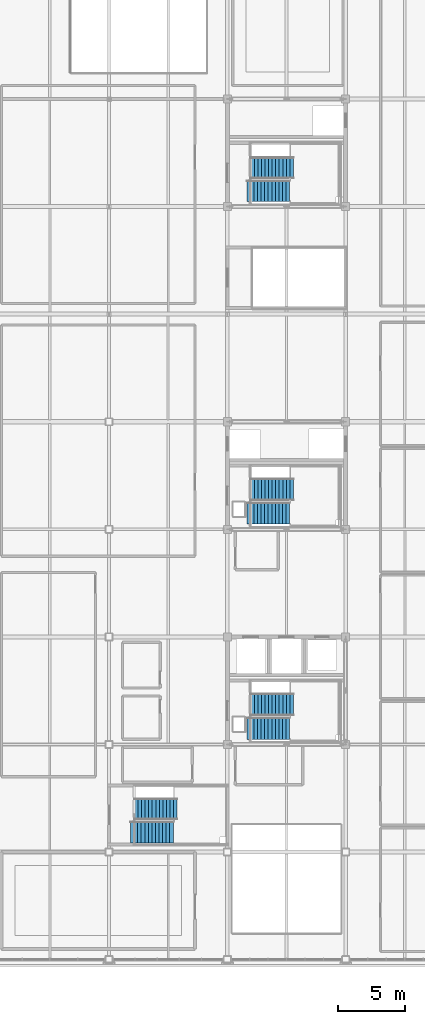
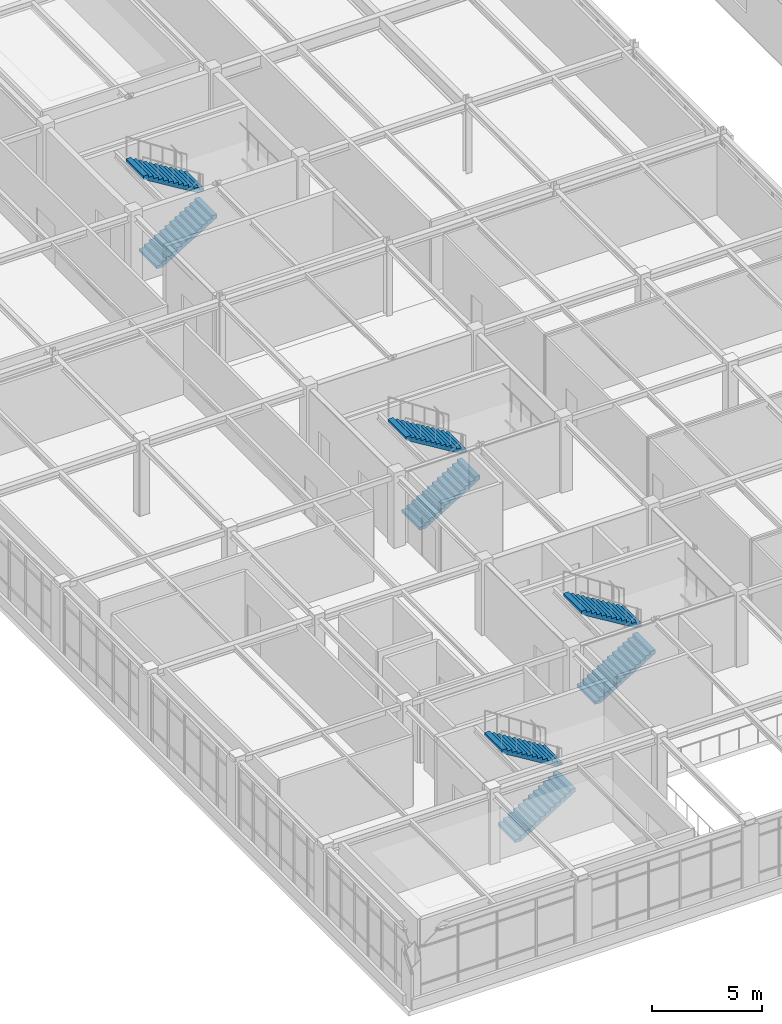
# One storey, part 83 of 88: 8 stair flights, 4 elements without a shape of their own.
"""IFC4 building model written with IfcOpenShell, lengths in metres."""

from ifc_helpers import new_model, si_unit, direction, frame, origin, place, context, subcontext, project, spatial, polyline, outline, extrude, material, type_object, element, aggregate, save


model = new_model("IFC4")

# Units and contexts
model_context = context("Model", 3, precision=1e-05, world=origin(), true_north=direction((0.0, 1.0)))
body_context = subcontext(model_context, "Body", "Model", "MODEL_VIEW")
ifc_project = project(units=[si_unit("LENGTHUNIT", "METRE"), si_unit("AREAUNIT", "SQUARE_METRE"), si_unit("VOLUMEUNIT", "CUBIC_METRE"), si_unit("PLANEANGLEUNIT", "RADIAN"), si_unit("MASSUNIT", "GRAM", prefix="KILO")], contexts=[model_context])

# Site, building, storey
site_placement = place(None, origin())
site = spatial("IfcSite", under=ifc_project, at=site_placement, CompositionType="ELEMENT")
building_placement = place(site_placement, origin())
building = spatial("IfcBuilding", under=site, at=building_placement, Name="Zhaolan Boulevard Law Courts", CompositionType="ELEMENT")
storey_placement = place(building_placement, frame((0.0, 0.0, 16.199951171875)))
storey = spatial("IfcBuildingStorey", under=building, at=storey_placement, Name="L03", CompositionType="ELEMENT", Elevation=16.199951171875)

# Stair, stair flights
ifc_material_1 = material(Name="Concrete C40", Category="concrete")
stair_type_1 = type_object("IfcStairType", Name="HALF TURN STAIR 42 A", PredefinedType="HALF_TURN_STAIR", material=ifc_material_1)
stair_1_placement = place(storey_placement, origin())
stair_1 = element("IfcStair", 1, at=stair_1_placement, inside=storey, type_object=stair_type_1, Name="Stair ST01-L03", PredefinedType="HALF_TURN_STAIR")
ifc_material_2 = material(Name="Concrete C40", Category="concrete")
stair_flight_type_1 = type_object("IfcStairFlightType", Name="STAIR FLIGHT 42 A", PredefinedType="STRAIGHT", material=ifc_material_2)
stair_flight_1_placement = place(storey_placement, frame((19.050048828125, 47.205078125, 0.0), z_axis=(0.0, 0.0, 1.0), x_axis=(1.0, 0.0, 0.0)))
stair_flight_1 = element("IfcStairFlight", 2, at=stair_flight_1_placement, type_object=stair_flight_type_1, Name="Stair Flight ST01-L03-F1", NumberOfRisers=13, NumberOfTreads=12, PredefinedType="STRAIGHT", RiserHeight=0.161538462, TreadLength=0.265, context=body_context, shape_type="SweptSolid", body=[
    extrude(outline(polyline([(0.0, 0.0), (0.0, 0.16162109375), (0.264892578125, 0.16162109375), (0.264892578125, 0.322998046875), (0.530029296875, 0.322998046875), (0.530029296875, 0.484619140625), (0.794921875, 0.484619140625), (0.794921875, 0.646240234375), (1.06005859375, 0.646240234375), (1.06005859375, 0.8076171875), (1.324951171875, 0.8076171875), (1.324951171875, 0.96923828125), (1.590087890625, 0.96923828125), (1.590087890625, 1.130859375), (1.85498046875, 1.130859375), (1.85498046875, 1.292236328125), (2.1201171875, 1.292236328125), (2.1201171875, 1.453857421875), (2.385009765625, 1.453857421875), (2.385009765625, 1.615478515625), (2.64990234375, 1.615478515625), (2.64990234375, 1.77685546875), (2.9150390625, 1.77685546875), (2.9150390625, 1.9384765625), (3.179931640625, 1.9384765625), (3.179931640625, 2.10009765625), (3.179931640625, 1.751220703125), (0.30712890625, 0.0), (0.0, 0.0)])), frame((0.0, 0.824951171875, 0.0), z_axis=(0.0, -1.0, 0.0), x_axis=(1.0, 0.0, 0.0)), (0.0, 0.0, 1.0), 1.64990234375),
])
stair_flight_2_placement = place(storey_placement, frame((22.514892578125, 48.955078125, 2.10009765625), z_axis=(0.0, 0.0, 1.0), x_axis=(-1.0, 0.0, 0.0)))
stair_flight_2 = element("IfcStairFlight", 3, at=stair_flight_2_placement, type_object=stair_flight_type_1, Name="Stair Flight ST01-L03-F2", NumberOfRisers=13, NumberOfTreads=12, PredefinedType="STRAIGHT", RiserHeight=0.161538462, TreadLength=0.265, context=body_context, shape_type="SweptSolid", body=[
    extrude(outline(polyline([(0.0, 0.0), (0.0, 0.16162109375), (0.264892578125, 0.16162109375), (0.264892578125, 0.322998046875), (0.530029296875, 0.322998046875), (0.530029296875, 0.484619140625), (0.794921875, 0.484619140625), (0.794921875, 0.646240234375), (1.06005859375, 0.646240234375), (1.06005859375, 0.8076171875), (1.324951171875, 0.8076171875), (1.324951171875, 0.96923828125), (1.590087890625, 0.96923828125), (1.590087890625, 1.130859375), (1.85498046875, 1.130859375), (1.85498046875, 1.292236328125), (2.1201171875, 1.292236328125), (2.1201171875, 1.453857421875), (2.385009765625, 1.453857421875), (2.385009765625, 1.615478515625), (2.64990234375, 1.615478515625), (2.64990234375, 1.77685546875), (2.9150390625, 1.77685546875), (2.9150390625, 1.9384765625), (3.179931640625, 1.9384765625), (3.179931640625, 2.10009765625), (3.179931640625, 1.751220703125), (0.30712890625, 0.0), (0.0, 0.0)])), frame((0.0, 0.824951171875, 0.0), z_axis=(0.0, -1.0, 0.0), x_axis=(1.0, 0.0, 0.0)), (0.0, 0.0, 1.0), 1.64990234375),
])
aggregate(stair_1, [stair_flight_1, stair_flight_2])

stair_2_placement = place(storey_placement, origin())
stair_2 = element("IfcStair", 4, at=stair_2_placement, inside=storey, type_object=stair_type_1, Name="Stair ST02-L03", PredefinedType="HALF_TURN_STAIR")
stair_flight_3_placement = place(storey_placement, frame((19.050048828125, 63.205078125, 0.0), z_axis=(0.0, 0.0, 1.0), x_axis=(1.0, 0.0, 0.0)))
stair_flight_3 = element("IfcStairFlight", 5, at=stair_flight_3_placement, type_object=stair_flight_type_1, Name="Stair Flight ST02-L03-F1", NumberOfRisers=13, NumberOfTreads=12, PredefinedType="STRAIGHT", RiserHeight=0.161538462, TreadLength=0.265, context=body_context, shape_type="SweptSolid", body=[
    extrude(outline(polyline([(0.0, 0.0), (0.0, 0.16162109375), (0.264892578125, 0.16162109375), (0.264892578125, 0.322998046875), (0.530029296875, 0.322998046875), (0.530029296875, 0.484619140625), (0.794921875, 0.484619140625), (0.794921875, 0.646240234375), (1.06005859375, 0.646240234375), (1.06005859375, 0.8076171875), (1.324951171875, 0.8076171875), (1.324951171875, 0.96923828125), (1.590087890625, 0.96923828125), (1.590087890625, 1.130859375), (1.85498046875, 1.130859375), (1.85498046875, 1.292236328125), (2.1201171875, 1.292236328125), (2.1201171875, 1.453857421875), (2.385009765625, 1.453857421875), (2.385009765625, 1.615478515625), (2.64990234375, 1.615478515625), (2.64990234375, 1.77685546875), (2.9150390625, 1.77685546875), (2.9150390625, 1.9384765625), (3.179931640625, 1.9384765625), (3.179931640625, 2.10009765625), (3.179931640625, 1.751220703125), (0.30712890625, 0.0), (0.0, 0.0)])), frame((0.0, 0.824951171875, 0.0), z_axis=(0.0, -1.0, 0.0), x_axis=(1.0, 0.0, 0.0)), (0.0, 0.0, 1.0), 1.64990234375),
])
stair_flight_4_placement = place(storey_placement, frame((22.514892578125, 64.955078125, 2.10009765625), z_axis=(0.0, 0.0, 1.0), x_axis=(-1.0, 0.0, 0.0)))
stair_flight_4 = element("IfcStairFlight", 6, at=stair_flight_4_placement, type_object=stair_flight_type_1, Name="Stair Flight ST02-L03-F2", NumberOfRisers=13, NumberOfTreads=12, PredefinedType="STRAIGHT", RiserHeight=0.161538462, TreadLength=0.265, context=body_context, shape_type="SweptSolid", body=[
    extrude(outline(polyline([(0.0, 0.0), (0.0, 0.16162109375), (0.264892578125, 0.16162109375), (0.264892578125, 0.322998046875), (0.530029296875, 0.322998046875), (0.530029296875, 0.484619140625), (0.794921875, 0.484619140625), (0.794921875, 0.646240234375), (1.06005859375, 0.646240234375), (1.06005859375, 0.8076171875), (1.324951171875, 0.8076171875), (1.324951171875, 0.96923828125), (1.590087890625, 0.96923828125), (1.590087890625, 1.130859375), (1.85498046875, 1.130859375), (1.85498046875, 1.292236328125), (2.1201171875, 1.292236328125), (2.1201171875, 1.453857421875), (2.385009765625, 1.453857421875), (2.385009765625, 1.615478515625), (2.64990234375, 1.615478515625), (2.64990234375, 1.77685546875), (2.9150390625, 1.77685546875), (2.9150390625, 1.9384765625), (3.179931640625, 1.9384765625), (3.179931640625, 2.10009765625), (3.179931640625, 1.751220703125), (0.30712890625, 0.0), (0.0, 0.0)])), frame((0.0, 0.824951171875, 0.0), z_axis=(0.0, -1.0, 0.0), x_axis=(1.0, 0.0, 0.0)), (0.0, 0.0, 1.0), 1.64990234375),
])
aggregate(stair_2, [stair_flight_3, stair_flight_4])

ifc_material_3 = material(Name="Concrete C40", Category="concrete")
stair_type_2 = type_object("IfcStairType", Name="HALF TURN STAIR 42 B", PredefinedType="HALF_TURN_STAIR", material=ifc_material_3)
stair_3_placement = place(storey_placement, origin())
stair_3 = element("IfcStair", 7, at=stair_3_placement, inside=storey, type_object=stair_type_2, Name="Stair ST03-L03", PredefinedType="HALF_TURN_STAIR")
ifc_material_4 = material(Name="Concrete C40", Category="concrete")
stair_flight_type_2 = type_object("IfcStairFlightType", Name="STAIR FLIGHT 42 B", PredefinedType="STRAIGHT", material=ifc_material_4)
stair_flight_5_placement = place(storey_placement, frame((10.39990234375, 39.47998046875, 0.0), z_axis=(0.0, 0.0, 1.0), x_axis=(1.0, 0.0, 0.0)))
stair_flight_5 = element("IfcStairFlight", 8, at=stair_flight_5_placement, type_object=stair_flight_type_2, Name="Stair Flight ST03-L03-F1", NumberOfRisers=13, NumberOfTreads=12, PredefinedType="STRAIGHT", RiserHeight=0.161538462, TreadLength=0.265, context=body_context, shape_type="SweptSolid", body=[
    extrude(outline(polyline([(0.0, 0.0), (0.0, 0.16162109375), (0.264892578125, 0.16162109375), (0.264892578125, 0.322998046875), (0.530029296875, 0.322998046875), (0.530029296875, 0.484619140625), (0.794921875, 0.484619140625), (0.794921875, 0.646240234375), (1.06005859375, 0.646240234375), (1.06005859375, 0.8076171875), (1.324951171875, 0.8076171875), (1.324951171875, 0.96923828125), (1.590087890625, 0.96923828125), (1.590087890625, 1.130859375), (1.85498046875, 1.130859375), (1.85498046875, 1.292236328125), (2.1201171875, 1.292236328125), (2.1201171875, 1.453857421875), (2.385009765625, 1.453857421875), (2.385009765625, 1.615478515625), (2.64990234375, 1.615478515625), (2.64990234375, 1.77685546875), (2.9150390625, 1.77685546875), (2.9150390625, 1.9384765625), (3.179931640625, 1.9384765625), (3.179931640625, 2.10009765625), (3.179931640625, 1.751220703125), (0.30712890625, 0.0), (0.0, 0.0)])), frame((0.0, 0.800048828125, 0.0), z_axis=(0.0, -1.0, 0.0), x_axis=(1.0, 0.0, 0.0)), (0.0, 0.0, 1.0), 1.60009765625),
])
stair_flight_6_placement = place(storey_placement, frame((13.864990234375, 41.179931640625, 2.10009765625), z_axis=(0.0, 0.0, 1.0), x_axis=(-1.0, 0.0, 0.0)))
stair_flight_6 = element("IfcStairFlight", 9, at=stair_flight_6_placement, type_object=stair_flight_type_2, Name="Stair Flight ST03-L03-F2", NumberOfRisers=13, NumberOfTreads=12, PredefinedType="STRAIGHT", RiserHeight=0.161538462, TreadLength=0.265, context=body_context, shape_type="SweptSolid", body=[
    extrude(outline(polyline([(0.0, 0.0), (0.0, 0.16162109375), (0.264892578125, 0.16162109375), (0.264892578125, 0.322998046875), (0.530029296875, 0.322998046875), (0.530029296875, 0.484619140625), (0.794921875, 0.484619140625), (0.794921875, 0.646240234375), (1.06005859375, 0.646240234375), (1.06005859375, 0.8076171875), (1.324951171875, 0.8076171875), (1.324951171875, 0.96923828125), (1.590087890625, 0.96923828125), (1.590087890625, 1.130859375), (1.85498046875, 1.130859375), (1.85498046875, 1.292236328125), (2.1201171875, 1.292236328125), (2.1201171875, 1.453857421875), (2.385009765625, 1.453857421875), (2.385009765625, 1.615478515625), (2.64990234375, 1.615478515625), (2.64990234375, 1.77685546875), (2.9150390625, 1.77685546875), (2.9150390625, 1.9384765625), (3.179931640625, 1.9384765625), (3.179931640625, 2.10009765625), (3.179931640625, 1.751220703125), (0.30712890625, 0.0), (0.0, 0.0)])), frame((0.0, 0.800048828125, 0.0), z_axis=(0.0, -1.0, 0.0), x_axis=(1.0, 0.0, 0.0)), (0.0, 0.0, 1.0), 1.60009765625),
])
aggregate(stair_3, [stair_flight_5, stair_flight_6])

stair_4_placement = place(storey_placement, origin())
stair_4 = element("IfcStair", 10, at=stair_4_placement, inside=storey, type_object=stair_type_2, Name="Stair ST10-L03", PredefinedType="HALF_TURN_STAIR")
stair_flight_7_placement = place(storey_placement, frame((19.050048828125, 87.179931640625, 0.0), z_axis=(0.0, 0.0, 1.0), x_axis=(1.0, 0.0, 0.0)))
stair_flight_7 = element("IfcStairFlight", 11, at=stair_flight_7_placement, type_object=stair_flight_type_2, Name="Stair Flight ST10-L03-F1", NumberOfRisers=13, NumberOfTreads=12, PredefinedType="STRAIGHT", RiserHeight=0.161538462, TreadLength=0.265, context=body_context, shape_type="SweptSolid", body=[
    extrude(outline(polyline([(0.0, 0.0), (0.0, 0.16162109375), (0.264892578125, 0.16162109375), (0.264892578125, 0.322998046875), (0.530029296875, 0.322998046875), (0.530029296875, 0.484619140625), (0.794921875, 0.484619140625), (0.794921875, 0.646240234375), (1.06005859375, 0.646240234375), (1.06005859375, 0.8076171875), (1.324951171875, 0.8076171875), (1.324951171875, 0.96923828125), (1.590087890625, 0.96923828125), (1.590087890625, 1.130859375), (1.85498046875, 1.130859375), (1.85498046875, 1.292236328125), (2.1201171875, 1.292236328125), (2.1201171875, 1.453857421875), (2.385009765625, 1.453857421875), (2.385009765625, 1.615478515625), (2.64990234375, 1.615478515625), (2.64990234375, 1.77685546875), (2.9150390625, 1.77685546875), (2.9150390625, 1.9384765625), (3.179931640625, 1.9384765625), (3.179931640625, 2.10009765625), (3.179931640625, 1.751220703125), (0.30712890625, 0.0), (0.0, 0.0)])), frame((0.0, 0.800048828125, 0.0), z_axis=(0.0, -1.0, 0.0), x_axis=(1.0, 0.0, 0.0)), (0.0, 0.0, 1.0), 1.60009765625),
])
stair_flight_8_placement = place(storey_placement, frame((22.514892578125, 88.8798828125, 2.10009765625), z_axis=(0.0, 0.0, 1.0), x_axis=(-1.0, 0.0, 0.0)))
stair_flight_8 = element("IfcStairFlight", 12, at=stair_flight_8_placement, type_object=stair_flight_type_2, Name="Stair Flight ST10-L03-F2", NumberOfRisers=13, NumberOfTreads=12, PredefinedType="STRAIGHT", RiserHeight=0.161538462, TreadLength=0.265, context=body_context, shape_type="SweptSolid", body=[
    extrude(outline(polyline([(0.0, 0.0), (0.0, 0.16162109375), (0.264892578125, 0.16162109375), (0.264892578125, 0.322998046875), (0.530029296875, 0.322998046875), (0.530029296875, 0.484619140625), (0.794921875, 0.484619140625), (0.794921875, 0.646240234375), (1.06005859375, 0.646240234375), (1.06005859375, 0.8076171875), (1.324951171875, 0.8076171875), (1.324951171875, 0.96923828125), (1.590087890625, 0.96923828125), (1.590087890625, 1.130859375), (1.85498046875, 1.130859375), (1.85498046875, 1.292236328125), (2.1201171875, 1.292236328125), (2.1201171875, 1.453857421875), (2.385009765625, 1.453857421875), (2.385009765625, 1.615478515625), (2.64990234375, 1.615478515625), (2.64990234375, 1.77685546875), (2.9150390625, 1.77685546875), (2.9150390625, 1.9384765625), (3.179931640625, 1.9384765625), (3.179931640625, 2.10009765625), (3.179931640625, 1.751220703125), (0.30712890625, 0.0), (0.0, 0.0)])), frame((0.0, 0.800048828125, 0.0), z_axis=(0.0, -1.0, 0.0), x_axis=(1.0, 0.0, 0.0)), (0.0, 0.0, 1.0), 1.60009765625),
])
aggregate(stair_4, [stair_flight_7, stair_flight_8])

save(model, "model.ifc")
